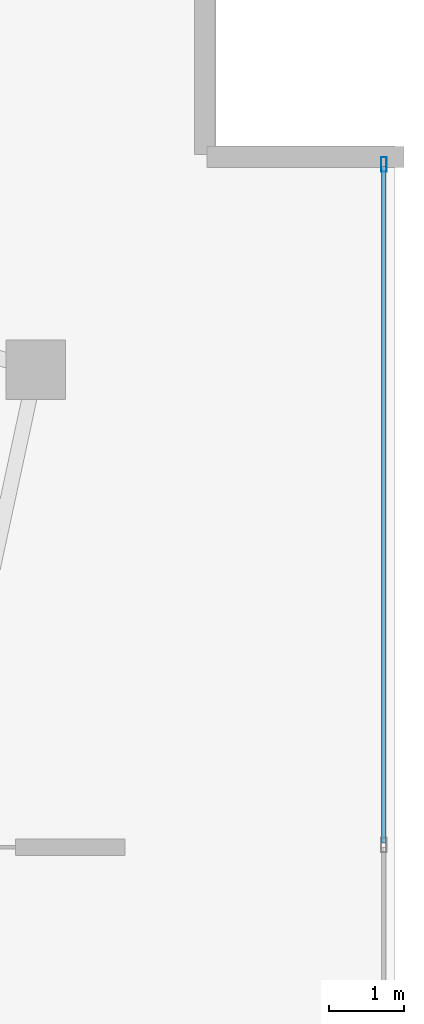
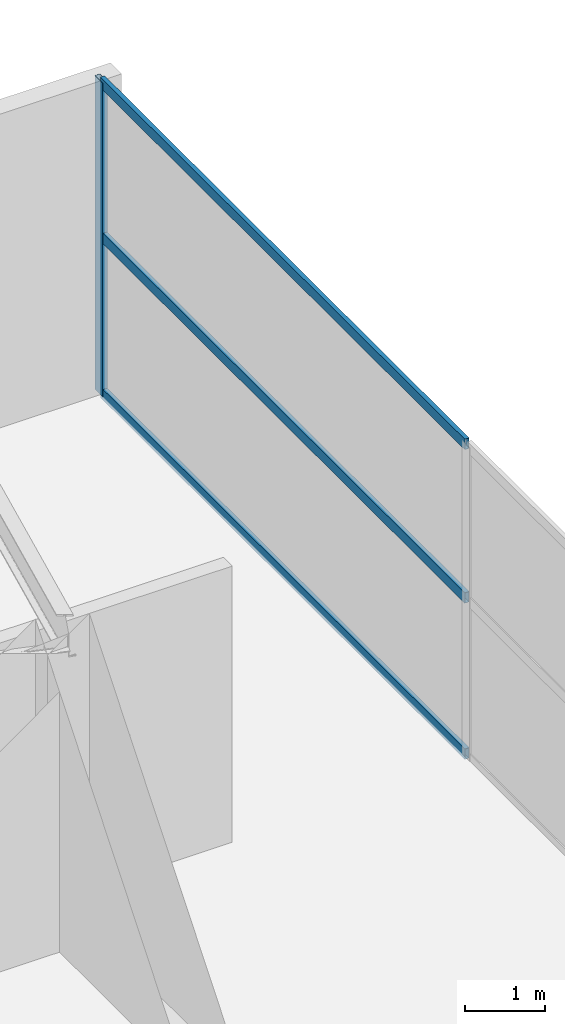
# One storey, part 16 of 20: 4 members, 1 element without a shape of its own.
"""IFC4 building model written with IfcOpenShell, lengths in metres."""

from ifc_helpers import new_model, si_unit, direction, frame, origin, origin_2d, place, context, subcontext, project, spatial, hollow_rectangle, extrude, material, layer, layer_set, material_profile, profile_set, type_object, element, aggregate, save


model = new_model("IFC4")

# Units and contexts
model_context = context("Model", 3, precision=1e-05, world=origin(), true_north=direction((0.0, 1.0)))
body_context = subcontext(model_context, "Body", "Model", "MODEL_VIEW")
ifc_project = project(units=[si_unit("LENGTHUNIT", "METRE"), si_unit("AREAUNIT", "SQUARE_METRE"), si_unit("VOLUMEUNIT", "CUBIC_METRE"), si_unit("PLANEANGLEUNIT", "RADIAN"), si_unit("MASSUNIT", "GRAM", prefix="KILO")], contexts=[model_context])

# Site, building, storey
site_placement = place(None, origin())
site = spatial("IfcSite", under=ifc_project, at=site_placement, CompositionType="ELEMENT")
building_placement = place(site_placement, origin())
building = spatial("IfcBuilding", under=site, at=building_placement, Name="Calvorn Quay Hotel", CompositionType="ELEMENT")
storey_placement = place(building_placement, frame((0.0, 0.0, 340.5)))
storey = spatial("IfcBuildingStorey", under=building, at=storey_placement, Name="L83", CompositionType="ELEMENT", Elevation=340.5)

# Curtain wall, members
ifc_material_1 = material(Name="Pale Anodised Aluminium and Laminated Glass", Category="aluminium")
ifc_layer = layer(ifc_material_1, 0.219970703125)
ifc_layer_set = layer_set([ifc_layer], Name="CW-SYS-CRN")
curtain_wall_type = type_object("IfcCurtainWallType", Name="CW-SYS-CRN", PredefinedType="NOTDEFINED", material=ifc_layer_set)
curtain_wall_placement = place(storey_placement, origin())
curtain_wall = element("IfcCurtainWall", 1, at=curtain_wall_placement, inside=storey, type_object=curtain_wall_type, Name="Crown Curtain Wall L83-C2", PredefinedType="NOTDEFINED")
ifc_material_2 = material(Name="Pale Anodised Aluminium 6063-T6", Category="aluminium")
ifc_material_profile_1 = material_profile(ifc_material_2, hollow_rectangle(XDim=0.072021484375, YDim=0.195068359375, WallThickness=0.00390625, at=origin_2d()), Name="ALU-M195x72x4")
ifc_profile_set_1 = profile_set([ifc_material_profile_1], Name="Pale Anodised Aluminium 6063-T6")
member_type_1 = type_object("IfcMemberType", Name="CW-SYS-CRN-MUL", PredefinedType="MULLION", material=ifc_profile_set_1)
member_1_placement = place(storey_placement, frame((21.217041015625, 48.35009765625, 0.0), z_axis=(0.0, 0.0, 1.0), x_axis=(-1.0, 0.0, 0.0)))
member_1 = element("IfcMember", 2, at=member_1_placement, type_object=member_type_1, Name="CW-L83-C2 mullion 6", PredefinedType="MULLION", context=body_context, shape_type="SweptSolid", body=[
    extrude(hollow_rectangle(XDim=0.072021484375, YDim=0.195068359375, WallThickness=0.00390625, at=origin_2d()), origin(), (0.0, 0.0, 1.0), 4.760009765625),
])
ifc_material_3 = material(Name="Pale Anodised Aluminium 6063-T6", Category="aluminium")
ifc_material_profile_2 = material_profile(ifc_material_3, hollow_rectangle(XDim=0.06201171875, YDim=0.159912109375, WallThickness=0.00341796875, at=origin_2d()), Name="ALU-T160x62x3.5")
ifc_profile_set_2 = profile_set([ifc_material_profile_2], Name="Pale Anodised Aluminium 6063-T6")
member_type_2 = type_object("IfcMemberType", Name="CW-SYS-CRN-TRN", PredefinedType="USERDEFINED", material=ifc_profile_set_2)
member_2_placement = place(storey_placement, frame((21.217041015625, 39.258056640625, 0.030029296875), z_axis=(0.0, 1.0, 0.0), x_axis=(-1.0, 0.0, 0.0)))
member_2 = element("IfcMember", 3, at=member_2_placement, type_object=member_type_2, Name="CW-L83-C2 transom 5.1", ObjectType="TRANSOM", PredefinedType="USERDEFINED", context=body_context, shape_type="SweptSolid", body=[
    extrude(hollow_rectangle(XDim=0.06201171875, YDim=0.159912109375, WallThickness=0.00341796875, at=origin_2d()), origin(), (0.0, 0.0, 1.0), 9.06201171875),
])
member_3_placement = place(storey_placement, frame((21.217041015625, 39.258056640625, 2.39990234375), z_axis=(0.0, 1.0, 0.0), x_axis=(-1.0, 0.0, 0.0)))
member_3 = element("IfcMember", 4, at=member_3_placement, type_object=member_type_2, Name="CW-L83-C2 transom 5.2", ObjectType="TRANSOM", PredefinedType="USERDEFINED", context=body_context, shape_type="SweptSolid", body=[
    extrude(hollow_rectangle(XDim=0.06201171875, YDim=0.159912109375, WallThickness=0.00341796875, at=origin_2d()), origin(), (0.0, 0.0, 1.0), 9.06201171875),
])
member_4_placement = place(storey_placement, frame((21.217041015625, 39.258056640625, 4.72998046875), z_axis=(0.0, 1.0, 0.0), x_axis=(-1.0, 0.0, 0.0)))
member_4 = element("IfcMember", 5, at=member_4_placement, type_object=member_type_2, Name="CW-L83-C2 transom 5.3", ObjectType="TRANSOM", PredefinedType="USERDEFINED", context=body_context, shape_type="SweptSolid", body=[
    extrude(hollow_rectangle(XDim=0.06201171875, YDim=0.159912109375, WallThickness=0.00341796875, at=origin_2d()), origin(), (0.0, 0.0, 1.0), 9.06201171875),
])
aggregate(curtain_wall, [member_1, member_2, member_3, member_4])

save(model, "model.ifc")
